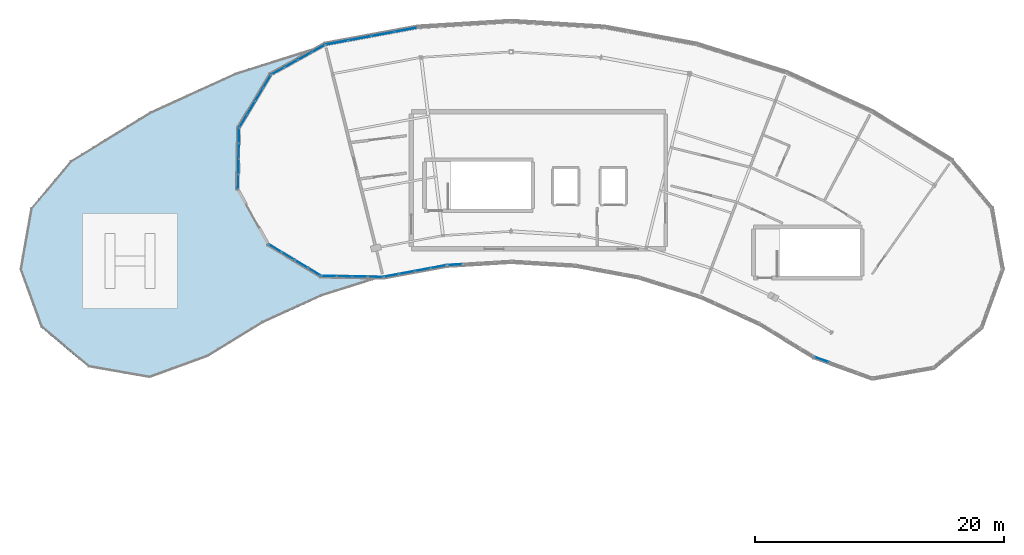
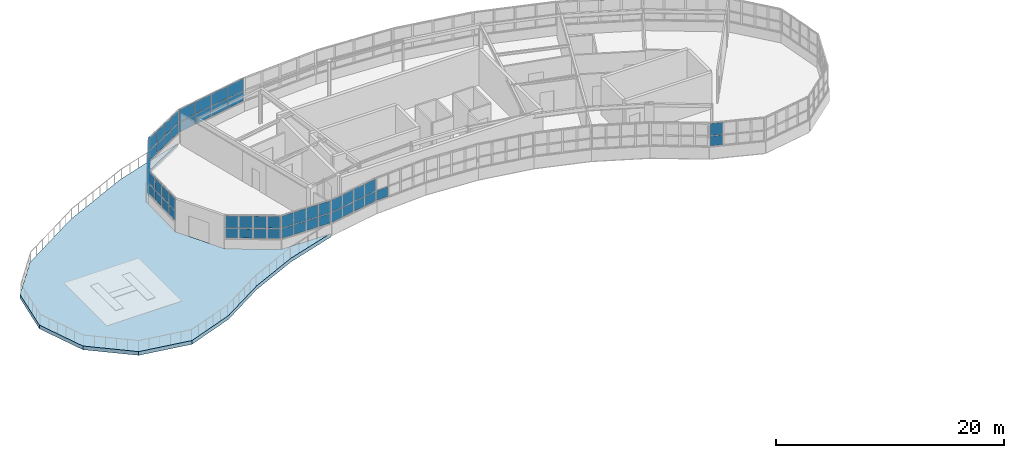
# One storey, part 16 of 26: 59 plates, 1 slab, 9 elements without a shape of their own.
"""IFC4 building model written with IfcOpenShell, lengths in metres."""

import ifcopenshell
import ifcopenshell.guid

model = None  # the IFC model being written
_history = None  # IfcOwnerHistory: only IFC2X3 demands one
_inside = {}  # id of a spatial element -> (the spatial element, [elements in it])
_under = {}  # id of a project, library or spatial element -> (it, [spatial elements below it])
_declared = {}  # id of a project -> (the project, [libraries it declares])
_typed = {}  # id of a type object -> (the type object, [elements of that type])
_made_of = {}  # id of a material, layer set ... -> (it, [elements and type objects made of it])


def new_model(schema):
    """Start an empty IFC model of exactly this schema.

    Asked for "IFC4X3", IfcOpenShell would pick the latest addendum, in which some entities
    have other attributes; the version numbers below select the first issue.
    IFC2X3 requires an IfcOwnerHistory on every rooted entity: one is made here for all.
    """
    global model, _history
    if schema == "IFC4X3":
        model = ifcopenshell.file(schema_version=(4, 3, 0, 0))
    else:
        model = ifcopenshell.file(schema=schema)
    _inside.clear()
    _under.clear()
    _declared.clear()
    _typed.clear()
    _made_of.clear()
    _history = None
    if model.schema == "IFC2X3":
        org = make("IfcOrganization", Name="unknown")
        user = make(
            "IfcPersonAndOrganization",
            ThePerson=make("IfcPerson", FamilyName="unknown"),
            TheOrganization=org,
        )
        app = make(
            "IfcApplication",
            ApplicationDeveloper=org,
            Version="unknown",
            ApplicationFullName="unknown",
            ApplicationIdentifier="unknown",
        )
        _history = make(
            "IfcOwnerHistory",
            OwningUser=user,
            OwningApplication=app,
            ChangeAction="ADDED",
            CreationDate=0,
        )
    return model


def make(cls, **values):
    """One entity of the class cls with the attributes given. An attribute that is None is left unset."""
    return model.create_entity(
        cls, **{name: value for name, value in values.items() if value is not None}
    )


def rooted(cls, **values):
    """An entity with a GlobalId (a new one), such as an element, a storey or a relation."""
    return make(cls, GlobalId=ifcopenshell.guid.new(), OwnerHistory=_history, **values)


def si_unit(unit_type, name, prefix=None):
    """IfcSIUnit, for example si_unit("LENGTHUNIT", "METRE", prefix="MILLI")."""
    return make("IfcSIUnit", UnitType=unit_type, Prefix=prefix, Name=name)


def assignment(units):
    """IfcUnitAssignment: the units of a project."""
    return None if units is None else make("IfcUnitAssignment", Units=units)


def point(xyz):
    """IfcCartesianPoint."""
    return None if xyz is None else make("IfcCartesianPoint", Coordinates=xyz)


def direction(xyz):
    """IfcDirection."""
    return None if xyz is None else make("IfcDirection", DirectionRatios=xyz)


def frame(location, z_axis=None, x_axis=None):
    """IfcAxis2Placement3D, a coordinate frame: its origin and axes. An axis left out is left unset."""
    return make(
        "IfcAxis2Placement3D",
        Location=point(location),
        Axis=direction(z_axis),
        RefDirection=direction(x_axis),
    )


def frame_2d(location, x_axis=None):
    """IfcAxis2Placement2D, a coordinate frame in the plane: its origin and x axis."""
    return make(
        "IfcAxis2Placement2D", Location=point(location), RefDirection=direction(x_axis)
    )


def origin():
    """The frame at (0, 0, 0) with its axes left unset."""
    return frame((0.0, 0.0, 0.0))


def origin_2d():
    """The frame at (0, 0) in the plane with its x axis left unset."""
    return frame_2d((0.0, 0.0))


def place(relative_to, where):
    """IfcLocalPlacement: puts the frame where relative to a parent placement (None: the world)."""
    return make(
        "IfcLocalPlacement", PlacementRelTo=relative_to, RelativePlacement=where
    )


def context(
    kind, dimensions, precision=None, world=None, true_north=None, identifier=None
):
    """IfcGeometricRepresentationContext, for example the 3D "Model" context."""
    return make(
        "IfcGeometricRepresentationContext",
        ContextIdentifier=identifier,
        ContextType=kind,
        CoordinateSpaceDimension=dimensions,
        Precision=precision,
        WorldCoordinateSystem=world,
        TrueNorth=true_north,
    )


def subcontext(parent, identifier, kind, view, scale=None):
    """IfcGeometricRepresentationSubContext, for example "Body" below "Model"."""
    return make(
        "IfcGeometricRepresentationSubContext",
        ContextIdentifier=identifier,
        ContextType=kind,
        ParentContext=parent,
        TargetScale=scale,
        TargetView=view,
    )


def project(units=None, contexts=None):
    """IfcProject with its units and contexts."""
    return rooted(
        "IfcProject",
        Name="project",
        RepresentationContexts=contexts,
        UnitsInContext=assignment(units),
    )


def spatial(cls, under=None, at=None, **own):
    """A site, building, storey or space (cls), placed at a placement, below another one or the project."""
    s = rooted(cls, ObjectPlacement=at, **own)
    if under is not None:
        _under.setdefault(under.id(), (under, []))[1].append(s)
    return s


def polyline(points):
    """IfcPolyline through the points."""
    return make("IfcPolyline", Points=[point(p) for p in points])


def profile(cls, at=None, kind="AREA", **sizes):
    """A parametric profile (cls). Its sizes go by their IFC names, for example OverallWidth=200.0."""
    return make(cls, ProfileType=kind, Position=at, **sizes)


def rectangle(**sizes):
    """IfcRectangleProfileDef."""
    return profile("IfcRectangleProfileDef", **sizes)


def outline(outer, holes=None, kind="AREA"):
    """IfcArbitraryClosedProfileDef: a profile drawn as a closed curve; with holes, ...WithVoids."""
    if holes is None:
        return make("IfcArbitraryClosedProfileDef", ProfileType=kind, OuterCurve=outer)
    return make(
        "IfcArbitraryProfileDefWithVoids",
        ProfileType=kind,
        OuterCurve=outer,
        InnerCurves=holes,
    )


def extrude(swept, where, along, depth):
    """IfcExtrudedAreaSolid: the profile swept, set in the frame where, extruded along a direction by depth."""
    return make(
        "IfcExtrudedAreaSolid",
        SweptArea=swept,
        Position=where,
        ExtrudedDirection=direction(along),
        Depth=depth,
    )


def shape(context_of_items, identifier, shape_type, items):
    """IfcShapeRepresentation: the items that make up one representation, for example the "Body"."""
    return make(
        "IfcShapeRepresentation",
        ContextOfItems=context_of_items,
        RepresentationIdentifier=identifier,
        RepresentationType=shape_type,
        Items=items,
    )


def material(Name=None, Category=None):
    """IfcMaterial."""
    return make("IfcMaterial", Name=Name, Category=Category)


def layer(
    of_material, thickness, ventilated=None, Name=None, Category=None, Priority=None
):
    """IfcMaterialLayer: one layer of a wall or slab, of a material (None: an air gap)."""
    return make(
        "IfcMaterialLayer",
        Material=of_material,
        LayerThickness=thickness,
        IsVentilated=ventilated,
        Name=Name,
        Category=Category,
        Priority=Priority,
    )


def layer_set(layers, Name=None):
    """IfcMaterialLayerSet."""
    return make("IfcMaterialLayerSet", MaterialLayers=layers, LayerSetName=Name)


def made_of(thing, what):
    """Note that an element or type object is made of a material, layer set ...; save() writes the relation."""
    if what is not None:
        _made_of.setdefault(what.id(), (what, []))[1].append(thing)
    return thing


def type_object(cls, material=None, **own):
    """A type object (cls), such as IfcWallType, which elements share."""
    return made_of(rooted(cls, **own), material)


def element(
    cls,
    number,
    at=None,
    inside=None,
    cuts=None,
    type_object=None,
    material=None,
    context=None,
    identifier="Body",
    shape_type=None,
    held_by="IfcProductDefinitionShape",
    body=None,
    shapes=None,
    **own,
):
    """One element of the class cls, such as IfcWall. Its Tag is "e" and its number.

    at: its placement. inside: the storey or other place that contains it. cuts: it is an
    opening in that element (IfcRelVoidsElement). A single representation is given by context,
    identifier, shape_type and body (its items); several are given by shapes. held_by: the class
    of the entity that holds the representations. save() writes the other relations.
    """
    e = rooted(cls, Tag="e%d" % number, ObjectPlacement=at, **own)
    if body is not None:
        shapes = [shape(context, identifier, shape_type, body)]
    if shapes is not None:
        e.Representation = make(held_by, Representations=shapes)
    if inside is not None:
        _inside.setdefault(inside.id(), (inside, []))[1].append(e)
    if cuts is not None:
        rooted(
            "IfcRelVoidsElement", RelatingBuildingElement=cuts, RelatedOpeningElement=e
        )
    if type_object is not None:
        _typed.setdefault(type_object.id(), (type_object, []))[1].append(e)
    return made_of(e, material)


def aggregate(whole, parts):
    """IfcRelAggregates: a whole, such as a stair, and the parts it consists of."""
    return rooted("IfcRelAggregates", RelatingObject=whole, RelatedObjects=parts)


def save(model, path):
    """Write the relations noted so far, then the file.

    IfcRelAggregates (storeys below a building ...), IfcRelContainedInSpatialStructure (elements
    in a storey), IfcRelDefinesByType, IfcRelAssociatesMaterial and IfcRelDeclares: one each for
    every whole, place, type object, material and project.
    """
    for whole, parts in _under.values():
        aggregate(whole, parts)
    for where, things in _inside.values():
        rooted(
            "IfcRelContainedInSpatialStructure",
            RelatedElements=things,
            RelatingStructure=where,
        )
    for kind, things in _typed.values():
        rooted("IfcRelDefinesByType", RelatedObjects=things, RelatingType=kind)
    for what, things in _made_of.values():
        rooted("IfcRelAssociatesMaterial", RelatedObjects=things, RelatingMaterial=what)
    for by, libraries in _declared.values():
        rooted("IfcRelDeclares", RelatingContext=by, RelatedDefinitions=libraries)
    model.write(path)


model = new_model("IFC4")

# Units and contexts
model_context = context("Model", 3, precision=1e-05, world=origin(), true_north=direction((0.0, 1.0)))
body_context = subcontext(model_context, "Body", "Model", "MODEL_VIEW")
ifc_project = project(units=[si_unit("LENGTHUNIT", "METRE"), si_unit("AREAUNIT", "SQUARE_METRE"), si_unit("VOLUMEUNIT", "CUBIC_METRE"), si_unit("PLANEANGLEUNIT", "RADIAN"), si_unit("MASSUNIT", "GRAM", prefix="KILO")], contexts=[model_context])

# Site, building, storey
site_placement = place(None, origin())
site = spatial("IfcSite", under=ifc_project, at=site_placement, CompositionType="ELEMENT")
building_placement = place(site_placement, origin())
building = spatial("IfcBuilding", under=site, at=building_placement, Name="Tarnwether General Hospital", CompositionType="ELEMENT")
storey_placement = place(building_placement, frame((0.0, 0.0, 30.0)))
storey = spatial("IfcBuildingStorey", under=building, at=storey_placement, Name="L07", CompositionType="ELEMENT", Elevation=30.0)

# Curtain wall, plates
ifc_material_1 = material(Name="Anodised aluminium", Category="aluminium")
ifc_layer_1 = layer(ifc_material_1, 0.159912109375)
ifc_layer_set_1 = layer_set([ifc_layer_1], Name="Anodised aluminium")
curtain_wall_type_1 = type_object("IfcCurtainWallType", Name="CW-03", PredefinedType="NOTDEFINED", material=ifc_layer_set_1)
curtain_wall_1_placement = place(storey_placement, origin())
curtain_wall_1 = element("IfcCurtainWall", 1, at=curtain_wall_1_placement, inside=storey, type_object=curtain_wall_type_1, Name="Curtain Wall CWG-L07-701_1111-0130", PredefinedType="NOTDEFINED")
ifc_material_2 = material(Name="Double glazed low-E glass", Category="glass")
ifc_layer_2 = layer(ifc_material_2, 0.028076171875)
ifc_layer_set_2 = layer_set([ifc_layer_2], Name="Double glazed low-E glass")
plate_type_1 = type_object("IfcPlateType", Name="PT-CWP1", PredefinedType="CURTAIN_PANEL", material=ifc_layer_set_2)
plate_1_placement = place(storey_placement, frame((70.1162109375, 111.771484375, 1.1201171875), z_axis=(0.0, 0.0, 1.0), x_axis=(0.017509392677, 0.999846698833, 0.0)))
plate_1 = element("IfcPlate", 2, at=plate_1_placement, type_object=plate_type_1, Name="CW-03 panel 1.1", PredefinedType="CURTAIN_PANEL", context=body_context, shape_type="SweptSolid", body=[
    extrude(rectangle(XDim=1.13720703125, YDim=0.028076171875, at=origin_2d()), origin(), (0.0, 0.0, 1.0), 1.029052734375),
])
plate_2_placement = place(storey_placement, frame((70.1162109375, 111.771484375, 2.21923828125), z_axis=(0.0, 0.0, 1.0), x_axis=(0.017509392677, 0.999846698833, 0.0)))
plate_2 = element("IfcPlate", 3, at=plate_2_placement, type_object=plate_type_1, Name="CW-03 panel 1.2", PredefinedType="CURTAIN_PANEL", context=body_context, shape_type="SweptSolid", body=[
    extrude(rectangle(XDim=1.13720703125, YDim=0.028076171875, at=origin_2d()), origin(), (0.0, 0.0, 1.0), 1.281005859375),
])
plate_3_placement = place(storey_placement, frame((70.1376953125, 112.99609375, 1.1201171875), z_axis=(0.0, 0.0, 1.0), x_axis=(0.017509392677, 0.999846698833, 0.0)))
plate_3 = element("IfcPlate", 4, at=plate_3_placement, type_object=plate_type_1, Name="CW-03 panel 2.1", PredefinedType="CURTAIN_PANEL", context=body_context, shape_type="SweptSolid", body=[
    extrude(rectangle(XDim=1.172119140625, YDim=0.028076171875, at=origin_2d()), origin(), (0.0, 0.0, 1.0), 1.029052734375),
])
plate_4_placement = place(storey_placement, frame((70.1376953125, 112.99609375, 2.21923828125), z_axis=(0.0, 0.0, 1.0), x_axis=(0.017509392677, 0.999846698833, 0.0)))
plate_4 = element("IfcPlate", 5, at=plate_4_placement, type_object=plate_type_1, Name="CW-03 panel 2.2", PredefinedType="CURTAIN_PANEL", context=body_context, shape_type="SweptSolid", body=[
    extrude(rectangle(XDim=1.172119140625, YDim=0.028076171875, at=origin_2d()), origin(), (0.0, 0.0, 1.0), 1.281005859375),
])
plate_5_placement = place(storey_placement, frame((70.159423828125, 114.238037109375, 1.1201171875), z_axis=(0.0, 0.0, 1.0), x_axis=(0.017509392677, 0.999846698833, 0.0)))
plate_5 = element("IfcPlate", 6, at=plate_5_placement, type_object=plate_type_1, Name="CW-03 panel 3.1", PredefinedType="CURTAIN_PANEL", context=body_context, shape_type="SweptSolid", body=[
    extrude(rectangle(XDim=1.172119140625, YDim=0.028076171875, at=origin_2d()), origin(), (0.0, 0.0, 1.0), 1.029052734375),
])
plate_6_placement = place(storey_placement, frame((70.159423828125, 114.238037109375, 2.21923828125), z_axis=(0.0, 0.0, 1.0), x_axis=(0.017509392677, 0.999846698833, 0.0)))
plate_6 = element("IfcPlate", 7, at=plate_6_placement, type_object=plate_type_1, Name="CW-03 panel 3.2", PredefinedType="CURTAIN_PANEL", context=body_context, shape_type="SweptSolid", body=[
    extrude(rectangle(XDim=1.172119140625, YDim=0.028076171875, at=origin_2d()), origin(), (0.0, 0.0, 1.0), 1.281005859375),
])
plate_7_placement = place(storey_placement, frame((70.180908203125, 115.46240234375, 1.1201171875), z_axis=(0.0, 0.0, 1.0), x_axis=(0.017509392677, 0.999846698833, 0.0)))
plate_7 = element("IfcPlate", 8, at=plate_7_placement, type_object=plate_type_1, Name="CW-03 panel 4.1", PredefinedType="CURTAIN_PANEL", context=body_context, shape_type="SweptSolid", body=[
    extrude(rectangle(XDim=1.13720703125, YDim=0.028076171875, at=origin_2d()), origin(), (0.0, 0.0, 1.0), 1.029052734375),
])
plate_8_placement = place(storey_placement, frame((70.180908203125, 115.46240234375, 2.21923828125), z_axis=(0.0, 0.0, 1.0), x_axis=(0.017509392677, 0.999846698833, 0.0)))
plate_8 = element("IfcPlate", 9, at=plate_8_placement, type_object=plate_type_1, Name="CW-03 panel 4.2", PredefinedType="CURTAIN_PANEL", context=body_context, shape_type="SweptSolid", body=[
    extrude(rectangle(XDim=1.13720703125, YDim=0.028076171875, at=origin_2d()), origin(), (0.0, 0.0, 1.0), 1.281005859375),
])
aggregate(curtain_wall_1, [plate_1, plate_2, plate_3, plate_4, plate_5, plate_6, plate_7, plate_8])

curtain_wall_2_placement = place(storey_placement, origin())
curtain_wall_2 = element("IfcCurtainWall", 10, at=curtain_wall_2_placement, inside=storey, type_object=curtain_wall_type_1, Name="Curtain Wall CWG-L07-817_1041-0132", PredefinedType="NOTDEFINED")
plate_9_placement = place(storey_placement, frame((81.10693359375, 104.152099609375, 1.110107421875), z_axis=(0.0, 0.0, 1.0), x_axis=(-0.999850262231, 0.017304713729, 0.0)))
plate_9 = element("IfcPlate", 11, at=plate_9_placement, type_object=plate_type_1, Name="CW-03 panel 1.1", PredefinedType="CURTAIN_PANEL", context=body_context, shape_type="SweptSolid", body=[
    extrude(rectangle(XDim=1.15234375, YDim=0.028076171875, at=origin_2d()), origin(), (0.0, 0.0, 1.0), 1.0439453125),
])
plate_10_placement = place(storey_placement, frame((81.10693359375, 104.152099609375, 2.214111328125), z_axis=(0.0, 0.0, 1.0), x_axis=(-0.999850262231, 0.017304713729, 0.0)))
plate_10 = element("IfcPlate", 12, at=plate_10_placement, type_object=plate_type_1, Name="CW-03 panel 1.2", PredefinedType="CURTAIN_PANEL", context=body_context, shape_type="SweptSolid", body=[
    extrude(rectangle(XDim=1.15234375, YDim=0.028076171875, at=origin_2d()), origin(), (0.0, 0.0, 1.0), 1.2958984375),
])
plate_11_placement = place(storey_placement, frame((79.879638671875, 104.17333984375, 1.110107421875), z_axis=(0.0, 0.0, 1.0), x_axis=(-0.999850262231, 0.017304713729, 0.0)))
plate_11 = element("IfcPlate", 13, at=plate_11_placement, type_object=plate_type_1, Name="CW-03 panel 2.1", PredefinedType="CURTAIN_PANEL", context=body_context, shape_type="SweptSolid", body=[
    extrude(rectangle(XDim=1.182373046875, YDim=0.028076171875, at=origin_2d()), origin(), (0.0, 0.0, 1.0), 1.0439453125),
])
plate_12_placement = place(storey_placement, frame((79.879638671875, 104.17333984375, 2.214111328125), z_axis=(0.0, 0.0, 1.0), x_axis=(-0.999850262231, 0.017304713729, 0.0)))
plate_12 = element("IfcPlate", 14, at=plate_12_placement, type_object=plate_type_1, Name="CW-03 panel 2.2", PredefinedType="CURTAIN_PANEL", context=body_context, shape_type="SweptSolid", body=[
    extrude(rectangle(XDim=1.182373046875, YDim=0.028076171875, at=origin_2d()), origin(), (0.0, 0.0, 1.0), 1.2958984375),
])
plate_13_placement = place(storey_placement, frame((78.637451171875, 104.19482421875, 1.110107421875), z_axis=(0.0, 0.0, 1.0), x_axis=(-0.999850262231, 0.017304713729, 0.0)))
plate_13 = element("IfcPlate", 15, at=plate_13_placement, type_object=plate_type_1, Name="CW-03 panel 3.1", PredefinedType="CURTAIN_PANEL", context=body_context, shape_type="SweptSolid", body=[
    extrude(rectangle(XDim=1.182373046875, YDim=0.028076171875, at=origin_2d()), origin(), (0.0, 0.0, 1.0), 1.0439453125),
])
plate_14_placement = place(storey_placement, frame((78.637451171875, 104.19482421875, 2.214111328125), z_axis=(0.0, 0.0, 1.0), x_axis=(-0.999850262231, 0.017304713729, 0.0)))
plate_14 = element("IfcPlate", 16, at=plate_14_placement, type_object=plate_type_1, Name="CW-03 panel 3.2", PredefinedType="CURTAIN_PANEL", context=body_context, shape_type="SweptSolid", body=[
    extrude(rectangle(XDim=1.182373046875, YDim=0.028076171875, at=origin_2d()), origin(), (0.0, 0.0, 1.0), 1.2958984375),
])
plate_15_placement = place(storey_placement, frame((77.41015625, 104.216064453125, 1.110107421875), z_axis=(0.0, 0.0, 1.0), x_axis=(-0.999850262231, 0.017304713729, 0.0)))
plate_15 = element("IfcPlate", 17, at=plate_15_placement, type_object=plate_type_1, Name="CW-03 panel 4.1", PredefinedType="CURTAIN_PANEL", context=body_context, shape_type="SweptSolid", body=[
    extrude(rectangle(XDim=1.15234375, YDim=0.028076171875, at=origin_2d()), origin(), (0.0, 0.0, 1.0), 1.0439453125),
])
plate_16_placement = place(storey_placement, frame((77.41015625, 104.216064453125, 2.214111328125), z_axis=(0.0, 0.0, 1.0), x_axis=(-0.999850262231, 0.017304713729, 0.0)))
plate_16 = element("IfcPlate", 18, at=plate_16_placement, type_object=plate_type_1, Name="CW-03 panel 4.2", PredefinedType="CURTAIN_PANEL", context=body_context, shape_type="SweptSolid", body=[
    extrude(rectangle(XDim=1.15234375, YDim=0.028076171875, at=origin_2d()), origin(), (0.0, 0.0, 1.0), 1.2958984375),
])
aggregate(curtain_wall_2, [plate_9, plate_10, plate_11, plate_12, plate_13, plate_14, plate_15, plate_16])

curtain_wall_3_placement = place(storey_placement, origin())
curtain_wall_3 = element("IfcCurtainWall", 19, at=curtain_wall_3_placement, inside=storey, type_object=curtain_wall_type_1, Name="Curtain Wall CWG-L07-868_1051-0133", PredefinedType="NOTDEFINED")
plate_17_placement = place(storey_placement, frame((86.179443359375, 104.962890625, 1.1201171875), z_axis=(0.0, 0.0, 1.0), x_axis=(-0.983267910924, -0.182165351666, 0.0)))
plate_17 = element("IfcPlate", 20, at=plate_17_placement, type_object=plate_type_1, Name="CW-03 panel 1.1", PredefinedType="CURTAIN_PANEL", context=body_context, shape_type="SweptSolid", body=[
    extrude(rectangle(XDim=1.189208984375, YDim=0.028076171875, at=origin_2d()), origin(), (0.0, 0.0, 1.0), 1.029052734375),
])
plate_18_placement = place(storey_placement, frame((86.179443359375, 104.962890625, 2.21923828125), z_axis=(0.0, 0.0, 1.0), x_axis=(-0.983267910924, -0.182165351666, 0.0)))
plate_18 = element("IfcPlate", 21, at=plate_18_placement, type_object=plate_type_1, Name="CW-03 panel 1.2", PredefinedType="CURTAIN_PANEL", context=body_context, shape_type="SweptSolid", body=[
    extrude(rectangle(XDim=1.189208984375, YDim=0.028076171875, at=origin_2d()), origin(), (0.0, 0.0, 1.0), 1.281005859375),
])
plate_19_placement = place(storey_placement, frame((84.92431640625, 104.73046875, 1.1201171875), z_axis=(0.0, 0.0, 1.0), x_axis=(-0.983267910924, -0.182165351666, 0.0)))
plate_19 = element("IfcPlate", 22, at=plate_19_placement, type_object=plate_type_1, Name="CW-03 panel 2.1", PredefinedType="CURTAIN_PANEL", context=body_context, shape_type="SweptSolid", body=[
    extrude(rectangle(XDim=1.22412109375, YDim=0.028076171875, at=origin_2d()), origin(), (0.0, 0.0, 1.0), 1.029052734375),
])
plate_20_placement = place(storey_placement, frame((84.92431640625, 104.73046875, 2.21923828125), z_axis=(0.0, 0.0, 1.0), x_axis=(-0.983267910924, -0.182165351666, 0.0)))
plate_20 = element("IfcPlate", 23, at=plate_20_placement, type_object=plate_type_1, Name="CW-03 panel 2.2", PredefinedType="CURTAIN_PANEL", context=body_context, shape_type="SweptSolid", body=[
    extrude(rectangle(XDim=1.22412109375, YDim=0.028076171875, at=origin_2d()), origin(), (0.0, 0.0, 1.0), 1.281005859375),
])
plate_21_placement = place(storey_placement, frame((83.65185546875, 104.49462890625, 1.1201171875), z_axis=(0.0, 0.0, 1.0), x_axis=(-0.983267910924, -0.182165351666, 0.0)))
plate_21 = element("IfcPlate", 24, at=plate_21_placement, type_object=plate_type_1, Name="CW-03 panel 3.1", PredefinedType="CURTAIN_PANEL", context=body_context, shape_type="SweptSolid", body=[
    extrude(rectangle(XDim=1.22412109375, YDim=0.028076171875, at=origin_2d()), origin(), (0.0, 0.0, 1.0), 1.029052734375),
])
plate_22_placement = place(storey_placement, frame((83.65185546875, 104.49462890625, 2.21923828125), z_axis=(0.0, 0.0, 1.0), x_axis=(-0.983267910924, -0.182165351666, 0.0)))
plate_22 = element("IfcPlate", 25, at=plate_22_placement, type_object=plate_type_1, Name="CW-03 panel 3.2", PredefinedType="CURTAIN_PANEL", context=body_context, shape_type="SweptSolid", body=[
    extrude(rectangle(XDim=1.22412109375, YDim=0.028076171875, at=origin_2d()), origin(), (0.0, 0.0, 1.0), 1.281005859375),
])
plate_23_placement = place(storey_placement, frame((82.396484375, 104.261962890625, 1.1201171875), z_axis=(0.0, 0.0, 1.0), x_axis=(-0.983267910924, -0.182165351666, 0.0)))
plate_23 = element("IfcPlate", 26, at=plate_23_placement, type_object=plate_type_1, Name="CW-03 panel 4.1", PredefinedType="CURTAIN_PANEL", context=body_context, shape_type="SweptSolid", body=[
    extrude(rectangle(XDim=1.189208984375, YDim=0.028076171875, at=origin_2d()), origin(), (0.0, 0.0, 1.0), 1.029052734375),
])
plate_24_placement = place(storey_placement, frame((82.396484375, 104.261962890625, 2.21923828125), z_axis=(0.0, 0.0, 1.0), x_axis=(-0.983267910924, -0.182165351666, 0.0)))
plate_24 = element("IfcPlate", 27, at=plate_24_placement, type_object=plate_type_1, Name="CW-03 panel 4.2", PredefinedType="CURTAIN_PANEL", context=body_context, shape_type="SweptSolid", body=[
    extrude(rectangle(XDim=1.189208984375, YDim=0.028076171875, at=origin_2d()), origin(), (0.0, 0.0, 1.0), 1.281005859375),
])
aggregate(curtain_wall_3, [plate_17, plate_18, plate_19, plate_20, plate_21, plate_22, plate_23, plate_24])

curtain_wall_4_placement = place(storey_placement, origin())
curtain_wall_4 = element("IfcCurtainWall", 28, at=curtain_wall_4_placement, inside=storey, type_object=curtain_wall_type_1, Name="Curtain Wall CWG-L07-728_1204-0153", PredefinedType="NOTDEFINED")
plate_25_placement = place(storey_placement, frame((73.3095703125, 120.670654296875, 1.1201171875), z_axis=(0.0, 0.0, 1.0), x_axis=(0.874669310894, 0.484720121906, 0.0)))
plate_25 = element("IfcPlate", 29, at=plate_25_placement, type_object=plate_type_1, Name="CW-03 panel 1.1", PredefinedType="CURTAIN_PANEL", context=body_context, shape_type="SweptSolid", body=[
    extrude(rectangle(XDim=1.137451171875, YDim=0.028076171875, at=origin_2d()), origin(), (0.0, 0.0, 1.0), 1.029052734375),
])
plate_26_placement = place(storey_placement, frame((73.3095703125, 120.670654296875, 2.21923828125), z_axis=(0.0, 0.0, 1.0), x_axis=(0.874669310894, 0.484720121906, 0.0)))
plate_26 = element("IfcPlate", 30, at=plate_26_placement, type_object=plate_type_1, Name="CW-03 panel 1.2", PredefinedType="CURTAIN_PANEL", context=body_context, shape_type="SweptSolid", body=[
    extrude(rectangle(XDim=1.137451171875, YDim=0.028076171875, at=origin_2d()), origin(), (0.0, 0.0, 1.0), 1.281005859375),
])
plate_27_placement = place(storey_placement, frame((74.381103515625, 121.264404296875, 1.1201171875), z_axis=(0.0, 0.0, 1.0), x_axis=(0.874669310894, 0.484720121906, 0.0)))
plate_27 = element("IfcPlate", 31, at=plate_27_placement, type_object=plate_type_1, Name="CW-03 panel 2.1", PredefinedType="CURTAIN_PANEL", context=body_context, shape_type="SweptSolid", body=[
    extrude(rectangle(XDim=1.17236328125, YDim=0.028076171875, at=origin_2d()), origin(), (0.0, 0.0, 1.0), 1.029052734375),
])
plate_28_placement = place(storey_placement, frame((74.381103515625, 121.264404296875, 2.21923828125), z_axis=(0.0, 0.0, 1.0), x_axis=(0.874669310894, 0.484720121906, 0.0)))
plate_28 = element("IfcPlate", 32, at=plate_28_placement, type_object=plate_type_1, Name="CW-03 panel 2.2", PredefinedType="CURTAIN_PANEL", context=body_context, shape_type="SweptSolid", body=[
    extrude(rectangle(XDim=1.17236328125, YDim=0.028076171875, at=origin_2d()), origin(), (0.0, 0.0, 1.0), 1.281005859375),
])
plate_29_placement = place(storey_placement, frame((75.4677734375, 121.86669921875, 1.1201171875), z_axis=(0.0, 0.0, 1.0), x_axis=(0.874669310894, 0.484720121906, 0.0)))
plate_29 = element("IfcPlate", 33, at=plate_29_placement, type_object=plate_type_1, Name="CW-03 panel 3.1", PredefinedType="CURTAIN_PANEL", context=body_context, shape_type="SweptSolid", body=[
    extrude(rectangle(XDim=1.17236328125, YDim=0.028076171875, at=origin_2d()), origin(), (0.0, 0.0, 1.0), 1.029052734375),
])
plate_30_placement = place(storey_placement, frame((75.4677734375, 121.86669921875, 2.21923828125), z_axis=(0.0, 0.0, 1.0), x_axis=(0.874669310894, 0.484720121906, 0.0)))
plate_30 = element("IfcPlate", 34, at=plate_30_placement, type_object=plate_type_1, Name="CW-03 panel 3.2", PredefinedType="CURTAIN_PANEL", context=body_context, shape_type="SweptSolid", body=[
    extrude(rectangle(XDim=1.17236328125, YDim=0.028076171875, at=origin_2d()), origin(), (0.0, 0.0, 1.0), 1.281005859375),
])
plate_31_placement = place(storey_placement, frame((76.539306640625, 122.46044921875, 1.1201171875), z_axis=(0.0, 0.0, 1.0), x_axis=(0.874669310894, 0.484720121906, 0.0)))
plate_31 = element("IfcPlate", 35, at=plate_31_placement, type_object=plate_type_1, Name="CW-03 panel 4.1", PredefinedType="CURTAIN_PANEL", context=body_context, shape_type="SweptSolid", body=[
    extrude(rectangle(XDim=1.137451171875, YDim=0.028076171875, at=origin_2d()), origin(), (0.0, 0.0, 1.0), 1.029052734375),
])
plate_32_placement = place(storey_placement, frame((76.539306640625, 122.46044921875, 2.21923828125), z_axis=(0.0, 0.0, 1.0), x_axis=(0.874669310894, 0.484720121906, 0.0)))
plate_32 = element("IfcPlate", 36, at=plate_32_placement, type_object=plate_type_1, Name="CW-03 panel 4.2", PredefinedType="CURTAIN_PANEL", context=body_context, shape_type="SweptSolid", body=[
    extrude(rectangle(XDim=1.137451171875, YDim=0.028076171875, at=origin_2d()), origin(), (0.0, 0.0, 1.0), 1.281005859375),
])
aggregate(curtain_wall_4, [plate_25, plate_26, plate_27, plate_28, plate_29, plate_30, plate_31, plate_32])

curtain_wall_5_placement = place(storey_placement, origin())
curtain_wall_5 = element("IfcCurtainWall", 37, at=curtain_wall_5_placement, inside=storey, type_object=curtain_wall_type_1, Name="Curtain Wall CWG-L07-702_1161-0129", PredefinedType="NOTDEFINED")
ifc_material_3 = material(Name="Double glazed low-E glass", Category="glass")
ifc_layer_3 = layer(ifc_material_3, 0.035888671875)
ifc_layer_set_3 = layer_set([ifc_layer_3], Name="Double glazed low-E glass")
plate_type_2 = type_object("IfcPlateType", Name="PT-CWP2", PredefinedType="CURTAIN_PANEL", material=ifc_layer_set_3)
plate_33_placement = place(storey_placement, frame((70.51953125, 116.646240234375, 1.110107421875), z_axis=(0.0, 0.0, 1.0), x_axis=(0.514939569299, 0.857226481141, 0.0)))
plate_33 = element("IfcPlate", 38, at=plate_33_placement, type_object=plate_type_2, Name="CW-03 panel 1.1", PredefinedType="CURTAIN_PANEL", context=body_context, shape_type="SweptSolid", body=[
    extrude(rectangle(XDim=1.15234375, YDim=0.035888671875, at=origin_2d()), origin(), (0.0, 0.0, 1.0), 1.0439453125),
])
plate_34_placement = place(storey_placement, frame((70.51953125, 116.646240234375, 2.214111328125), z_axis=(0.0, 0.0, 1.0), x_axis=(0.514939569299, 0.857226481141, 0.0)))
plate_34 = element("IfcPlate", 39, at=plate_34_placement, type_object=plate_type_2, Name="CW-03 panel 1.2", PredefinedType="CURTAIN_PANEL", context=body_context, shape_type="SweptSolid", body=[
    extrude(rectangle(XDim=1.15234375, YDim=0.035888671875, at=origin_2d()), origin(), (0.0, 0.0, 1.0), 1.2958984375),
])
plate_35_placement = place(storey_placement, frame((71.151611328125, 117.698486328125, 1.110107421875), z_axis=(0.0, 0.0, 1.0), x_axis=(0.514939569299, 0.857226481141, 0.0)))
plate_35 = element("IfcPlate", 40, at=plate_35_placement, type_object=plate_type_2, Name="CW-03 panel 2.1", PredefinedType="CURTAIN_PANEL", context=body_context, shape_type="SweptSolid", body=[
    extrude(rectangle(XDim=1.182373046875, YDim=0.035888671875, at=origin_2d()), origin(), (0.0, 0.0, 1.0), 1.0439453125),
])
plate_36_placement = place(storey_placement, frame((71.151611328125, 117.698486328125, 2.214111328125), z_axis=(0.0, 0.0, 1.0), x_axis=(0.514939569299, 0.857226481141, 0.0)))
plate_36 = element("IfcPlate", 41, at=plate_36_placement, type_object=plate_type_2, Name="CW-03 panel 2.2", PredefinedType="CURTAIN_PANEL", context=body_context, shape_type="SweptSolid", body=[
    extrude(rectangle(XDim=1.182373046875, YDim=0.035888671875, at=origin_2d()), origin(), (0.0, 0.0, 1.0), 1.2958984375),
])
plate_37_placement = place(storey_placement, frame((71.791259765625, 118.763427734375, 1.110107421875), z_axis=(0.0, 0.0, 1.0), x_axis=(0.514939569299, 0.857226481141, 0.0)))
plate_37 = element("IfcPlate", 42, at=plate_37_placement, type_object=plate_type_2, Name="CW-03 panel 3.1", PredefinedType="CURTAIN_PANEL", context=body_context, shape_type="SweptSolid", body=[
    extrude(rectangle(XDim=1.182373046875, YDim=0.035888671875, at=origin_2d()), origin(), (0.0, 0.0, 1.0), 1.0439453125),
])
plate_38_placement = place(storey_placement, frame((71.791259765625, 118.763427734375, 2.214111328125), z_axis=(0.0, 0.0, 1.0), x_axis=(0.514939569299, 0.857226481141, 0.0)))
plate_38 = element("IfcPlate", 43, at=plate_38_placement, type_object=plate_type_2, Name="CW-03 panel 3.2", PredefinedType="CURTAIN_PANEL", context=body_context, shape_type="SweptSolid", body=[
    extrude(rectangle(XDim=1.182373046875, YDim=0.035888671875, at=origin_2d()), origin(), (0.0, 0.0, 1.0), 1.2958984375),
])
plate_39_placement = place(storey_placement, frame((72.42333984375, 119.815673828125, 1.110107421875), z_axis=(0.0, 0.0, 1.0), x_axis=(0.514939569299, 0.857226481141, 0.0)))
plate_39 = element("IfcPlate", 44, at=plate_39_placement, type_object=plate_type_2, Name="CW-03 panel 4.1", PredefinedType="CURTAIN_PANEL", context=body_context, shape_type="SweptSolid", body=[
    extrude(rectangle(XDim=1.15234375, YDim=0.035888671875, at=origin_2d()), origin(), (0.0, 0.0, 1.0), 1.0439453125),
])
plate_40_placement = place(storey_placement, frame((72.42333984375, 119.815673828125, 2.214111328125), z_axis=(0.0, 0.0, 1.0), x_axis=(0.514939569299, 0.857226481141, 0.0)))
plate_40 = element("IfcPlate", 45, at=plate_40_placement, type_object=plate_type_2, Name="CW-03 panel 4.2", PredefinedType="CURTAIN_PANEL", context=body_context, shape_type="SweptSolid", body=[
    extrude(rectangle(XDim=1.15234375, YDim=0.035888671875, at=origin_2d()), origin(), (0.0, 0.0, 1.0), 1.2958984375),
])
aggregate(curtain_wall_5, [plate_33, plate_34, plate_35, plate_36, plate_37, plate_38, plate_39, plate_40])

curtain_wall_6_placement = place(storey_placement, origin())
curtain_wall_6 = element("IfcCurtainWall", 46, at=curtain_wall_6_placement, inside=storey, type_object=curtain_wall_type_1, Name="Curtain Wall CWG-L07-768_1042-0131", PredefinedType="NOTDEFINED")
plate_41_placement = place(storey_placement, frame((76.224365234375, 104.557373046875, 1.1298828125), z_axis=(0.0, 0.0, 1.0), x_axis=(-0.857137652055, 0.515087415328, 0.0)))
plate_41 = element("IfcPlate", 47, at=plate_41_placement, type_object=plate_type_2, Name="CW-03 panel 1.1", PredefinedType="CURTAIN_PANEL", context=body_context, shape_type="SweptSolid", body=[
    extrude(rectangle(XDim=1.12255859375, YDim=0.035888671875, at=origin_2d()), origin(), (0.0, 0.0, 1.0), 1.013916015625),
])
plate_42_placement = place(storey_placement, frame((76.224365234375, 104.557373046875, 2.223876953125), z_axis=(0.0, 0.0, 1.0), x_axis=(-0.857137652055, 0.515087415328, 0.0)))
plate_42 = element("IfcPlate", 48, at=plate_42_placement, type_object=plate_type_2, Name="CW-03 panel 1.2", PredefinedType="CURTAIN_PANEL", context=body_context, shape_type="SweptSolid", body=[
    extrude(rectangle(XDim=1.12255859375, YDim=0.035888671875, at=origin_2d()), origin(), (0.0, 0.0, 1.0), 1.26611328125),
])
plate_43_placement = place(storey_placement, frame((75.176513671875, 105.18701171875, 1.1298828125), z_axis=(0.0, 0.0, 1.0), x_axis=(-0.857137652055, 0.515087415328, 0.0)))
plate_43 = element("IfcPlate", 49, at=plate_43_placement, type_object=plate_type_2, Name="CW-03 panel 2.1", PredefinedType="CURTAIN_PANEL", context=body_context, shape_type="SweptSolid", body=[
    extrude(rectangle(XDim=1.16259765625, YDim=0.035888671875, at=origin_2d()), origin(), (0.0, 0.0, 1.0), 1.013916015625),
])
plate_44_placement = place(storey_placement, frame((75.176513671875, 105.18701171875, 2.223876953125), z_axis=(0.0, 0.0, 1.0), x_axis=(-0.857137652055, 0.515087415328, 0.0)))
plate_44 = element("IfcPlate", 50, at=plate_44_placement, type_object=plate_type_2, Name="CW-03 panel 2.2", PredefinedType="CURTAIN_PANEL", context=body_context, shape_type="SweptSolid", body=[
    extrude(rectangle(XDim=1.16259765625, YDim=0.035888671875, at=origin_2d()), origin(), (0.0, 0.0, 1.0), 1.26611328125),
])
plate_45_placement = place(storey_placement, frame((74.111572265625, 105.826904296875, 1.1298828125), z_axis=(0.0, 0.0, 1.0), x_axis=(-0.857137652055, 0.515087415328, 0.0)))
plate_45 = element("IfcPlate", 51, at=plate_45_placement, type_object=plate_type_2, Name="CW-03 panel 3.1", PredefinedType="CURTAIN_PANEL", context=body_context, shape_type="SweptSolid", body=[
    extrude(rectangle(XDim=1.16259765625, YDim=0.035888671875, at=origin_2d()), origin(), (0.0, 0.0, 1.0), 1.013916015625),
])
plate_46_placement = place(storey_placement, frame((74.111572265625, 105.826904296875, 2.223876953125), z_axis=(0.0, 0.0, 1.0), x_axis=(-0.857137652055, 0.515087415328, 0.0)))
plate_46 = element("IfcPlate", 52, at=plate_46_placement, type_object=plate_type_2, Name="CW-03 panel 3.2", PredefinedType="CURTAIN_PANEL", context=body_context, shape_type="SweptSolid", body=[
    extrude(rectangle(XDim=1.16259765625, YDim=0.035888671875, at=origin_2d()), origin(), (0.0, 0.0, 1.0), 1.26611328125),
])
plate_47_placement = place(storey_placement, frame((73.063720703125, 106.456787109375, 1.1298828125), z_axis=(0.0, 0.0, 1.0), x_axis=(-0.857137652055, 0.515087415328, 0.0)))
plate_47 = element("IfcPlate", 53, at=plate_47_placement, type_object=plate_type_2, Name="CW-03 panel 4.1", PredefinedType="CURTAIN_PANEL", context=body_context, shape_type="SweptSolid", body=[
    extrude(rectangle(XDim=1.12255859375, YDim=0.035888671875, at=origin_2d()), origin(), (0.0, 0.0, 1.0), 1.013916015625),
])
plate_48_placement = place(storey_placement, frame((73.063720703125, 106.456787109375, 2.223876953125), z_axis=(0.0, 0.0, 1.0), x_axis=(-0.857137652055, 0.515087415328, 0.0)))
plate_48 = element("IfcPlate", 54, at=plate_48_placement, type_object=plate_type_2, Name="CW-03 panel 4.2", PredefinedType="CURTAIN_PANEL", context=body_context, shape_type="SweptSolid", body=[
    extrude(rectangle(XDim=1.12255859375, YDim=0.035888671875, at=origin_2d()), origin(), (0.0, 0.0, 1.0), 1.26611328125),
])
aggregate(curtain_wall_6, [plate_41, plate_42, plate_43, plate_44, plate_45, plate_46, plate_47, plate_48])

# Curtain wall, plate
curtain_wall_7_placement = place(storey_placement, origin())
curtain_wall_7 = element("IfcCurtainWall", 55, at=curtain_wall_7_placement, inside=storey, type_object=curtain_wall_type_1, Name="Curtain Wall CWG-L07-920_1054-0134", PredefinedType="NOTDEFINED")
plate_49_placement = place(storey_placement, frame((87.4951171875, 105.12451171875, 1.114990234375), z_axis=(0.0, 0.0, 1.0), x_axis=(-0.998135119267, -0.06104329354, 0.0)))
plate_49 = element("IfcPlate", 56, at=plate_49_placement, type_object=plate_type_2, Name="CW-03 panel 4.1", PredefinedType="CURTAIN_PANEL", context=body_context, shape_type="SweptSolid", body=[
    extrude(rectangle(XDim=1.19677734375, YDim=0.035888671875, at=origin_2d()), origin(), (0.0, 0.0, 1.0), 1.03662109375),
])
aggregate(curtain_wall_7, [plate_49])

# Curtain wall, plates
curtain_wall_8_placement = place(storey_placement, origin())
curtain_wall_8 = element("IfcCurtainWall", 57, at=curtain_wall_8_placement, inside=storey, type_object=curtain_wall_type_1, Name="Curtain Wall CWG-L07-1210_960-0140", PredefinedType="NOTDEFINED")
plate_50_placement = place(storey_placement, frame((116.917724609375, 97.514404296875, 1.110107421875), z_axis=(0.0, 0.0, 1.0), x_axis=(-0.939652319163, 0.342130850834, 0.0)))
plate_50 = element("IfcPlate", 58, at=plate_50_placement, type_object=plate_type_2, Name="CW-03 panel 4.1", PredefinedType="CURTAIN_PANEL", context=body_context, shape_type="SweptSolid", body=[
    extrude(rectangle(XDim=1.152099609375, YDim=0.035888671875, at=origin_2d()), origin(), (0.0, 0.0, 1.0), 1.0439453125),
])
plate_51_placement = place(storey_placement, frame((116.917724609375, 97.514404296875, 2.214111328125), z_axis=(0.0, 0.0, 1.0), x_axis=(-0.939652319163, 0.342130850834, 0.0)))
plate_51 = element("IfcPlate", 59, at=plate_51_placement, type_object=plate_type_2, Name="CW-03 panel 4.2", PredefinedType="CURTAIN_PANEL", context=body_context, shape_type="SweptSolid", body=[
    extrude(rectangle(XDim=1.152099609375, YDim=0.035888671875, at=origin_2d()), origin(), (0.0, 0.0, 1.0), 1.2958984375),
])
aggregate(curtain_wall_8, [plate_50, plate_51])

ifc_material_4 = material(Name="Anodised aluminium", Category="aluminium")
ifc_layer_4 = layer(ifc_material_4, 0.179931640625)
ifc_layer_set_4 = layer_set([ifc_layer_4], Name="Anodised aluminium")
curtain_wall_type_2 = type_object("IfcCurtainWallType", Name="CW-07", PredefinedType="NOTDEFINED", material=ifc_layer_set_4)
curtain_wall_9_placement = place(storey_placement, origin())
curtain_wall_9 = element("IfcCurtainWall", 60, at=curtain_wall_9_placement, inside=storey, type_object=curtain_wall_type_2, Name="Curtain Wall CWG-L07-771_1228-0152", PredefinedType="NOTDEFINED")
plate_52_placement = place(storey_placement, frame((78.037109375, 122.944091796875, 1.110107421875), z_axis=(0.0, 0.0, 1.0), x_axis=(0.983244953132, 0.182289226614, 0.0)))
plate_52 = element("IfcPlate", 61, at=plate_52_placement, type_object=plate_type_2, Name="CW-07 panel 1.1", PredefinedType="CURTAIN_PANEL", context=body_context, shape_type="SweptSolid", body=[
    extrude(rectangle(XDim=1.790283203125, YDim=0.035888671875, at=origin_2d()), origin(), (0.0, 0.0, 1.0), 1.0439453125),
])
plate_53_placement = place(storey_placement, frame((78.037109375, 122.944091796875, 2.214111328125), z_axis=(0.0, 0.0, 1.0), x_axis=(0.983244953132, 0.182289226614, 0.0)))
plate_53 = element("IfcPlate", 62, at=plate_53_placement, type_object=plate_type_2, Name="CW-07 panel 1.2", PredefinedType="CURTAIN_PANEL", context=body_context, shape_type="SweptSolid", body=[
    extrude(rectangle(XDim=1.790283203125, YDim=0.035888671875, at=origin_2d()), origin(), (0.0, 0.0, 1.0), 1.2958984375),
])
plate_54_placement = place(storey_placement, frame((79.87109375, 123.2841796875, 1.110107421875), z_axis=(0.0, 0.0, 1.0), x_axis=(0.983244953132, 0.182289226614, 0.0)))
plate_54 = element("IfcPlate", 63, at=plate_54_placement, type_object=plate_type_2, Name="CW-07 panel 2.1", PredefinedType="CURTAIN_PANEL", context=body_context, shape_type="SweptSolid", body=[
    extrude(rectangle(XDim=1.8203125, YDim=0.035888671875, at=origin_2d()), origin(), (0.0, 0.0, 1.0), 1.0439453125),
])
plate_55_placement = place(storey_placement, frame((79.87109375, 123.2841796875, 2.214111328125), z_axis=(0.0, 0.0, 1.0), x_axis=(0.983244953132, 0.182289226614, 0.0)))
plate_55 = element("IfcPlate", 64, at=plate_55_placement, type_object=plate_type_2, Name="CW-07 panel 2.2", PredefinedType="CURTAIN_PANEL", context=body_context, shape_type="SweptSolid", body=[
    extrude(rectangle(XDim=1.8203125, YDim=0.035888671875, at=origin_2d()), origin(), (0.0, 0.0, 1.0), 1.2958984375),
])
plate_56_placement = place(storey_placement, frame((81.719970703125, 123.626953125, 1.110107421875), z_axis=(0.0, 0.0, 1.0), x_axis=(0.983244953132, 0.182289226614, 0.0)))
plate_56 = element("IfcPlate", 65, at=plate_56_placement, type_object=plate_type_2, Name="CW-07 panel 3.1", PredefinedType="CURTAIN_PANEL", context=body_context, shape_type="SweptSolid", body=[
    extrude(rectangle(XDim=1.8203125, YDim=0.035888671875, at=origin_2d()), origin(), (0.0, 0.0, 1.0), 1.0439453125),
])
plate_57_placement = place(storey_placement, frame((81.719970703125, 123.626953125, 2.214111328125), z_axis=(0.0, 0.0, 1.0), x_axis=(0.983244953132, 0.182289226614, 0.0)))
plate_57 = element("IfcPlate", 66, at=plate_57_placement, type_object=plate_type_2, Name="CW-07 panel 3.2", PredefinedType="CURTAIN_PANEL", context=body_context, shape_type="SweptSolid", body=[
    extrude(rectangle(XDim=1.8203125, YDim=0.035888671875, at=origin_2d()), origin(), (0.0, 0.0, 1.0), 1.2958984375),
])
plate_58_placement = place(storey_placement, frame((83.553955078125, 123.966796875, 1.110107421875), z_axis=(0.0, 0.0, 1.0), x_axis=(0.983244953132, 0.182289226614, 0.0)))
plate_58 = element("IfcPlate", 67, at=plate_58_placement, type_object=plate_type_2, Name="CW-07 panel 4.1", PredefinedType="CURTAIN_PANEL", context=body_context, shape_type="SweptSolid", body=[
    extrude(rectangle(XDim=1.790283203125, YDim=0.035888671875, at=origin_2d()), origin(), (0.0, 0.0, 1.0), 1.0439453125),
])
plate_59_placement = place(storey_placement, frame((83.553955078125, 123.966796875, 2.214111328125), z_axis=(0.0, 0.0, 1.0), x_axis=(0.983244953132, 0.182289226614, 0.0)))
plate_59 = element("IfcPlate", 68, at=plate_59_placement, type_object=plate_type_2, Name="CW-07 panel 4.2", PredefinedType="CURTAIN_PANEL", context=body_context, shape_type="SweptSolid", body=[
    extrude(rectangle(XDim=1.790283203125, YDim=0.035888671875, at=origin_2d()), origin(), (0.0, 0.0, 1.0), 1.2958984375),
])
aggregate(curtain_wall_9, [plate_52, plate_53, plate_54, plate_55, plate_56, plate_57, plate_58, plate_59])

# Slab
ifc_material_5 = material(Name="Concrete 50 MPa", Category="concrete")
ifc_layer_5 = layer(ifc_material_5, 0.39990234375)
ifc_layer_set_5 = layer_set([ifc_layer_5], Name="Concrete 50 MPa")
slab_type = type_object("IfcSlabType", Name="SL-HP280", PredefinedType="FLOOR", material=ifc_layer_set_5)
slab_placement = place(storey_placement, frame((0.0, 0.0, -0.39990234375)))
element("IfcSlab", 69, at=slab_placement, inside=storey, type_object=slab_type, Name="L07 Rooftop Emergency Helipad Deck SL-L07-HELIPAD", PredefinedType="FLOOR", context=body_context, shape_type="SweptSolid", body=[
    extrude(outline(polyline([(76.804931640625, 102.583984375), (72.093994140625, 100.43701171875), (67.679931640625, 97.73193359375), (63.010986328125, 96.031982421875), (58.116943359375, 96.89501953125), (54.31005859375, 100.090087890625), (52.611083984375, 104.759033203125), (53.472900390625, 109.653076171875), (56.66796875, 113.4599609375), (63.0810546875, 117.389892578125), (69.925048828125, 120.509033203125), (77.001953125, 122.739990234375), (72.740966796875, 120.3779296875), (72.739990234375, 120.376953125), (72.738037109375, 120.3759765625), (72.736083984375, 120.375), (72.735107421875, 120.373046875), (72.73388671875, 120.37109375), (70.175048828125, 116.111083984375), (70.174072265625, 116.10888671875), (70.173095703125, 116.10791015625), (70.173095703125, 116.10498046875), (70.172119140625, 116.10302734375), (70.172119140625, 116.10107421875), (70.0849609375, 111.133056640625), (70.0849609375, 111.131103515625), (70.0849609375, 111.12890625), (70.0859375, 111.126953125), (70.0869140625, 111.125), (70.087890625, 111.123046875), (72.4970703125, 106.777099609375), (72.498046875, 106.77587890625), (72.4990234375, 106.77392578125), (72.5, 106.77197265625), (72.501953125, 106.77099609375), (72.50390625, 106.77001953125), (76.763916015625, 104.2099609375), (76.76611328125, 104.208984375), (76.76708984375, 104.2080078125), (76.77001953125, 104.2080078125), (76.77197265625, 104.20703125), (76.77392578125, 104.20703125), (81.68310546875, 104.1220703125), (76.804931640625, 102.583984375)])), origin(), (0.0, 0.0, 1.0), 0.39990234375),
])

save(model, "model.ifc")
